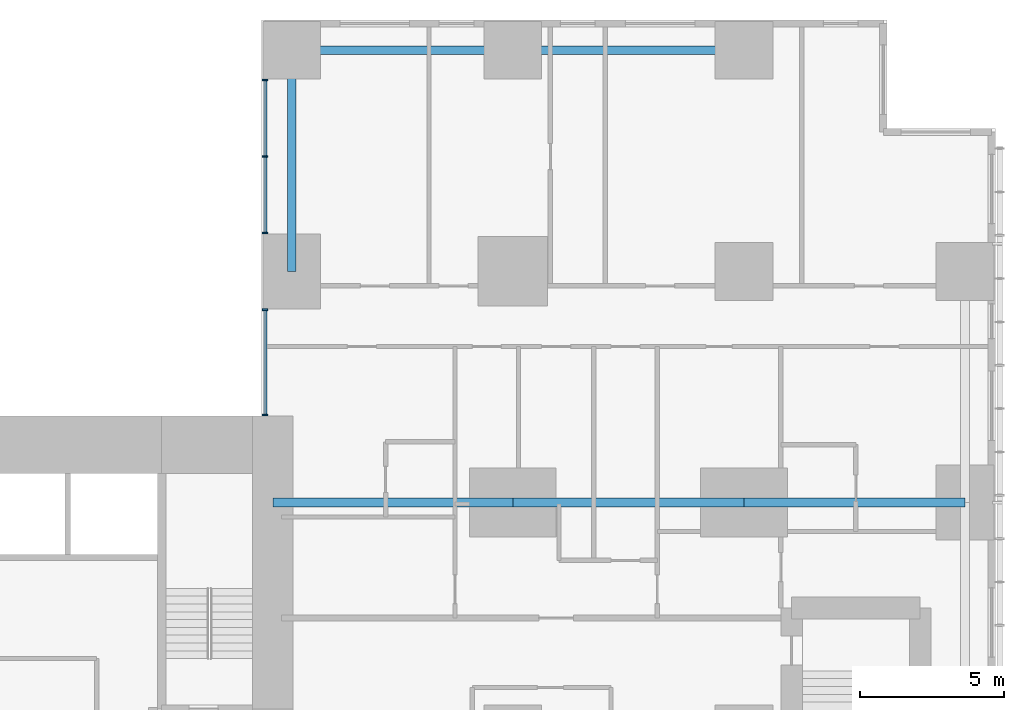
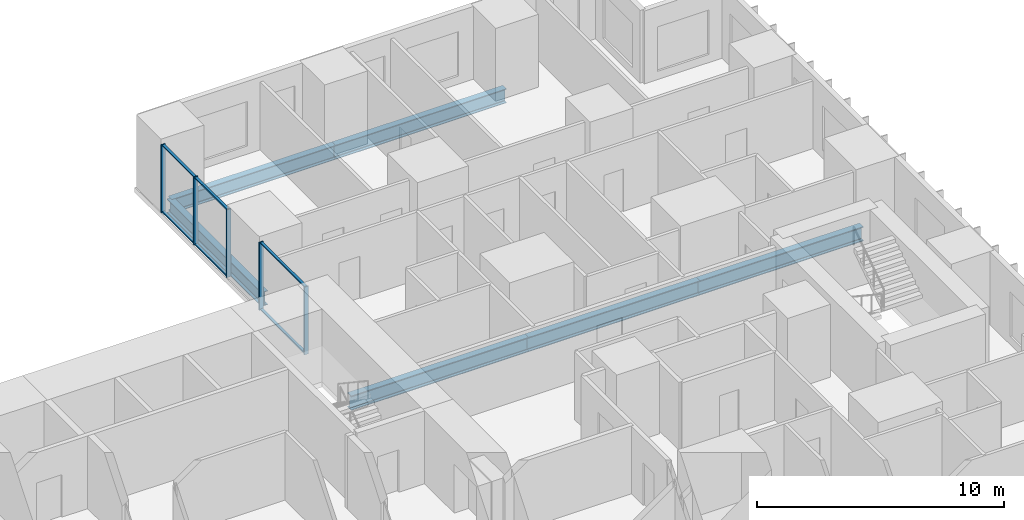
# One storey, part 5 of 20: 11 members, 6 beams, 2 elements without a shape of their own.
"""IFC4 building model written with IfcOpenShell, lengths in metres."""

from ifc_helpers import new_model, si_unit, direction, frame, origin, origin_2d, place, context, subcontext, project, spatial, rectangle, i_section, extrude, material, layer, layer_set, material_profile, profile_set, type_object, element, aggregate, save


model = new_model("IFC4")

# Units and contexts
model_context = context("Model", 3, precision=1e-05, world=origin(), true_north=direction((0.0, 1.0)))
body_context = subcontext(model_context, "Body", "Model", "MODEL_VIEW")
ifc_project = project(units=[si_unit("LENGTHUNIT", "METRE"), si_unit("AREAUNIT", "SQUARE_METRE"), si_unit("VOLUMEUNIT", "CUBIC_METRE"), si_unit("PLANEANGLEUNIT", "RADIAN"), si_unit("MASSUNIT", "GRAM", prefix="KILO")], contexts=[model_context])

# Site, building, storey
site_placement = place(None, origin())
site = spatial("IfcSite", under=ifc_project, at=site_placement, CompositionType="ELEMENT")
building_placement = place(site_placement, origin())
building = spatial("IfcBuilding", under=site, at=building_placement, Name="Cleftline Residences", CompositionType="ELEMENT")
storey_placement = place(building_placement, frame((0.0, 0.0, 121.39990234375)))
storey = spatial("IfcBuildingStorey", under=building, at=storey_placement, Name="L31", CompositionType="ELEMENT", Elevation=121.39990234375)

# Beams
ifc_material_1 = material(Name="Steel S355", Category="steel")
ifc_material_profile_1 = material_profile(ifc_material_1, i_section(OverallWidth=0.300048828125, OverallDepth=0.699951171875, WebThickness=0.01708984375, FlangeThickness=0.031982421875, FilletRadius=0.027099609375, at=origin_2d()))
ifc_profile_set_1 = profile_set([ifc_material_profile_1], Name="Steel S355")
beam_type_1 = type_object("IfcBeamType", Name="BEAM HEB 700", PredefinedType="BEAM", material=ifc_profile_set_1)
beam_1_placement = place(storey_placement, frame((58.0, 47.64990234375, -0.599853515625), z_axis=(-1.0, 0.0, 0.0), x_axis=(0.0, -1.0, 0.0)))
element("IfcBeam", 1, at=beam_1_placement, inside=storey, type_object=beam_type_1, Name="Edge beam", PredefinedType="BEAM", context=body_context, shape_type="SweptSolid", body=[
    extrude(i_section(OverallWidth=0.300048828125, OverallDepth=0.699951171875, WebThickness=0.01708984375, FlangeThickness=0.031982421875, FilletRadius=0.027099609375, at=origin_2d()), origin(), (0.0, 0.0, 1.0), 8.0),
])
for number, where, z_axis, x_axis, name in (
    (2, (50.0, 47.64990234375, -0.599853515625), (-1.0, 0.0, 0.0), (0.0, -1.0, 0.0), "Edge beam"),
    (3, (42.35009765625, 47.64990234375, -0.599853515625), (0.0, -1.0, 0.0), (1.0, 0.0, 0.0), "Edge beam"),
):
    element("IfcBeam", number, at=place(storey_placement, frame(where, z_axis=z_axis, x_axis=x_axis)), inside=storey, type_object=beam_type_1, Name=name, PredefinedType="BEAM", context=body_context, shape_type="SweptSolid", body=[
        extrude(i_section(OverallWidth=0.300048828125, OverallDepth=0.699951171875, WebThickness=0.01708984375, FlangeThickness=0.031982421875, FilletRadius=0.027099609375, at=origin_2d()), origin(), (0.0, 0.0, 1.0), 7.64990234375),
    ])
ifc_material_2 = material(Name="Steel S355", Category="steel")
ifc_material_profile_2 = material_profile(ifc_material_2, i_section(OverallWidth=0.303955078125, OverallDepth=0.716064453125, WebThickness=0.02099609375, FlangeThickness=0.0400390625, FilletRadius=0.027099609375, at=origin_2d()))
ifc_profile_set_2 = profile_set([ifc_material_profile_2], Name="Steel S355")
beam_type_2 = type_object("IfcBeamType", Name="BEAM HEM 700", PredefinedType="BEAM", material=ifc_profile_set_2)
beam_2_placement = place(storey_placement, frame((65.64990234375, 32.0, -0.60791015625), z_axis=(-1.0, 0.0, 0.0), x_axis=(0.0, -1.0, 0.0)))
element("IfcBeam", 4, at=beam_2_placement, inside=storey, type_object=beam_type_2, Name="Band beam", PredefinedType="BEAM", context=body_context, shape_type="SweptSolid", body=[
    extrude(i_section(OverallWidth=0.303955078125, OverallDepth=0.716064453125, WebThickness=0.02099609375, FlangeThickness=0.0400390625, FilletRadius=0.027099609375, at=origin_2d()), origin(), (0.0, 0.0, 1.0), 7.64990234375),
])
beam_3_placement = place(storey_placement, frame((58.0, 32.0, -0.60791015625), z_axis=(-1.0, 0.0, 0.0), x_axis=(0.0, -1.0, 0.0)))
element("IfcBeam", 5, at=beam_3_placement, inside=storey, type_object=beam_type_2, Name="Band beam", PredefinedType="BEAM", context=body_context, shape_type="SweptSolid", body=[
    extrude(i_section(OverallWidth=0.303955078125, OverallDepth=0.716064453125, WebThickness=0.02099609375, FlangeThickness=0.0400390625, FilletRadius=0.027099609375, at=origin_2d()), origin(), (0.0, 0.0, 1.0), 8.0),
])
beam_4_placement = place(storey_placement, frame((50.0, 32.0, -0.60791015625), z_axis=(-1.0, 0.0, 0.0), x_axis=(0.0, -1.0, 0.0)))
element("IfcBeam", 6, at=beam_4_placement, inside=storey, type_object=beam_type_2, Name="Band beam", PredefinedType="BEAM", context=body_context, shape_type="SweptSolid", body=[
    extrude(i_section(OverallWidth=0.303955078125, OverallDepth=0.716064453125, WebThickness=0.02099609375, FlangeThickness=0.0400390625, FilletRadius=0.027099609375, at=origin_2d()), origin(), (0.0, 0.0, 1.0), 8.300048828125),
])

# Curtain wall, members
ifc_material_3 = material(Name="Aluminium framed curtain wall", Category="aluminium")
ifc_layer = layer(ifc_material_3, 0.199951171875)
ifc_layer_set = layer_set([ifc_layer], Name="CW1 CLEFT GLAZING")
curtain_wall_type = type_object("IfcCurtainWallType", Name="CW1 CLEFT GLAZING", PredefinedType="NOTDEFINED", material=ifc_layer_set)
curtain_wall_1_placement = place(storey_placement, origin())
curtain_wall_1 = element("IfcCurtainWall", 7, at=curtain_wall_1_placement, inside=storey, type_object=curtain_wall_type, Name="Curtain wall CW1", PredefinedType="NOTDEFINED")
ifc_material_4 = material(Name="Aluminium mullion", Category="aluminium")
ifc_material_profile_3 = material_profile(ifc_material_4, rectangle(XDim=0.199951171875, YDim=0.06005859375, at=origin_2d()))
ifc_profile_set_3 = profile_set([ifc_material_profile_3], Name="Aluminium mullion")
member_type_1 = type_object("IfcMemberType", Name="CW1 MULLION", PredefinedType="MULLION", material=ifc_profile_set_3)
member_1_placement = place(storey_placement, frame((41.425048828125, 46.6201171875, 0.0), z_axis=(0.0, 0.0, 1.0), x_axis=(1.0, 0.0, 0.0)))
member_1 = element("IfcMember", 8, at=member_1_placement, type_object=member_type_1, Name="CW1 mullion 1", PredefinedType="MULLION", context=body_context, shape_type="SweptSolid", body=[
    extrude(rectangle(XDim=0.199951171875, YDim=0.06005859375, at=origin_2d()), origin(), (0.0, 0.0, 1.0), 3.35009765625),
])
member_2_placement = place(storey_placement, frame((41.425048828125, 43.97509765625, 0.0), z_axis=(0.0, 0.0, 1.0), x_axis=(1.0, 0.0, 0.0)))
member_2 = element("IfcMember", 9, at=member_2_placement, type_object=member_type_1, Name="CW1 mullion 2", PredefinedType="MULLION", context=body_context, shape_type="SweptSolid", body=[
    extrude(rectangle(XDim=0.199951171875, YDim=0.06005859375, at=origin_2d()), origin(), (0.0, 0.0, 1.0), 3.35009765625),
])
member_3_placement = place(storey_placement, frame((41.425048828125, 41.330078125, 0.0), z_axis=(0.0, 0.0, 1.0), x_axis=(1.0, 0.0, 0.0)))
member_3 = element("IfcMember", 10, at=member_3_placement, type_object=member_type_1, Name="CW1 mullion 3", PredefinedType="MULLION", context=body_context, shape_type="SweptSolid", body=[
    extrude(rectangle(XDim=0.199951171875, YDim=0.06005859375, at=origin_2d()), origin(), (0.0, 0.0, 1.0), 3.35009765625),
])

curtain_wall_2_placement = place(storey_placement, origin())
curtain_wall_2 = element("IfcCurtainWall", 11, at=curtain_wall_2_placement, inside=storey, type_object=curtain_wall_type, Name="Curtain wall CW1", PredefinedType="NOTDEFINED")
member_4_placement = place(storey_placement, frame((41.425048828125, 38.669921875, 0.0), z_axis=(0.0, 0.0, 1.0), x_axis=(1.0, 0.0, 0.0)))
member_4 = element("IfcMember", 12, at=member_4_placement, type_object=member_type_1, Name="CW1 mullion 1", PredefinedType="MULLION", context=body_context, shape_type="SweptSolid", body=[
    extrude(rectangle(XDim=0.199951171875, YDim=0.06005859375, at=origin_2d()), origin(), (0.0, 0.0, 1.0), 3.35009765625),
])
member_5_placement = place(storey_placement, frame((41.425048828125, 35.030029296875, 0.0), z_axis=(0.0, 0.0, 1.0), x_axis=(1.0, 0.0, 0.0)))
member_5 = element("IfcMember", 13, at=member_5_placement, type_object=member_type_1, Name="CW1 mullion 2", PredefinedType="MULLION", context=body_context, shape_type="SweptSolid", body=[
    extrude(rectangle(XDim=0.199951171875, YDim=0.06005859375, at=origin_2d()), origin(), (0.0, 0.0, 1.0), 3.35009765625),
])

# Member
ifc_material_5 = material(Name="Aluminium transom", Category="aluminium")
ifc_material_profile_4 = material_profile(ifc_material_5, rectangle(XDim=0.1201171875, YDim=0.06005859375, at=origin_2d()))
ifc_profile_set_4 = profile_set([ifc_material_profile_4], Name="Aluminium transom")
member_type_2 = type_object("IfcMemberType", Name="CW1 TRANSOM", PredefinedType="USERDEFINED", material=ifc_profile_set_4)
member_6_placement = place(storey_placement, frame((41.425048828125, 46.590087890625, 0.030029296875), z_axis=(0.0, -1.0, 0.0), x_axis=(1.0, 0.0, 0.0)))
member_6 = element("IfcMember", 14, at=member_6_placement, type_object=member_type_2, Name="CW1 transom 1.1", ObjectType="TRANSOM", PredefinedType="USERDEFINED", context=body_context, shape_type="SweptSolid", body=[
    extrude(rectangle(XDim=0.1201171875, YDim=0.06005859375, at=origin_2d()), origin(), (0.0, 0.0, 1.0), 2.585205078125),
])

member_7_placement = place(storey_placement, frame((41.425048828125, 46.590087890625, 3.320068359375), z_axis=(0.0, -1.0, 0.0), x_axis=(1.0, 0.0, 0.0)))
member_7 = element("IfcMember", 15, at=member_7_placement, type_object=member_type_2, Name="CW1 transom 1.2", ObjectType="TRANSOM", PredefinedType="USERDEFINED", context=body_context, shape_type="SweptSolid", body=[
    extrude(rectangle(XDim=0.1201171875, YDim=0.06005859375, at=origin_2d()), origin(), (0.0, 0.0, 1.0), 2.585205078125),
])

member_8_placement = place(storey_placement, frame((41.425048828125, 43.945068359375, 0.030029296875), z_axis=(0.0, -1.0, 0.0), x_axis=(1.0, 0.0, 0.0)))
member_8 = element("IfcMember", 16, at=member_8_placement, type_object=member_type_2, Name="CW1 transom 2.1", ObjectType="TRANSOM", PredefinedType="USERDEFINED", context=body_context, shape_type="SweptSolid", body=[
    extrude(rectangle(XDim=0.1201171875, YDim=0.06005859375, at=origin_2d()), origin(), (0.0, 0.0, 1.0), 2.5849609375),
])

member_9_placement = place(storey_placement, frame((41.425048828125, 43.945068359375, 3.320068359375), z_axis=(0.0, -1.0, 0.0), x_axis=(1.0, 0.0, 0.0)))
member_9 = element("IfcMember", 17, at=member_9_placement, type_object=member_type_2, Name="CW1 transom 2.2", ObjectType="TRANSOM", PredefinedType="USERDEFINED", context=body_context, shape_type="SweptSolid", body=[
    extrude(rectangle(XDim=0.1201171875, YDim=0.06005859375, at=origin_2d()), origin(), (0.0, 0.0, 1.0), 2.5849609375),
])

aggregate(curtain_wall_1, [member_1, member_2, member_3, member_6, member_7, member_8, member_9])

member_10_placement = place(storey_placement, frame((41.425048828125, 38.639892578125, 0.030029296875), z_axis=(0.0, -1.0, 0.0), x_axis=(1.0, 0.0, 0.0)))
member_10 = element("IfcMember", 18, at=member_10_placement, type_object=member_type_2, Name="CW1 transom 1.1", ObjectType="TRANSOM", PredefinedType="USERDEFINED", context=body_context, shape_type="SweptSolid", body=[
    extrude(rectangle(XDim=0.1201171875, YDim=0.06005859375, at=origin_2d()), origin(), (0.0, 0.0, 1.0), 3.579833984375),
])

member_11_placement = place(storey_placement, frame((41.425048828125, 38.639892578125, 3.320068359375), z_axis=(0.0, -1.0, 0.0), x_axis=(1.0, 0.0, 0.0)))
member_11 = element("IfcMember", 19, at=member_11_placement, type_object=member_type_2, Name="CW1 transom 1.2", ObjectType="TRANSOM", PredefinedType="USERDEFINED", context=body_context, shape_type="SweptSolid", body=[
    extrude(rectangle(XDim=0.1201171875, YDim=0.06005859375, at=origin_2d()), origin(), (0.0, 0.0, 1.0), 3.579833984375),
])

aggregate(curtain_wall_2, [member_4, member_5, member_10, member_11])

save(model, "model.ifc")
